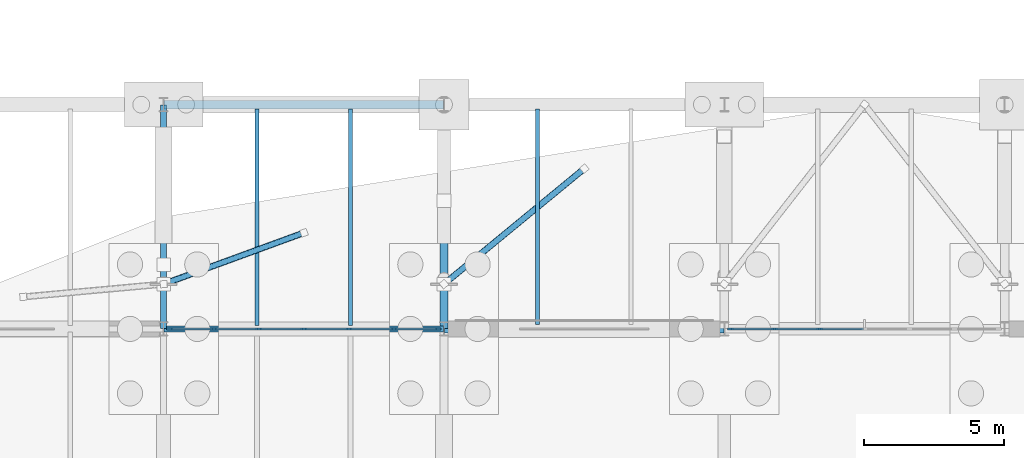
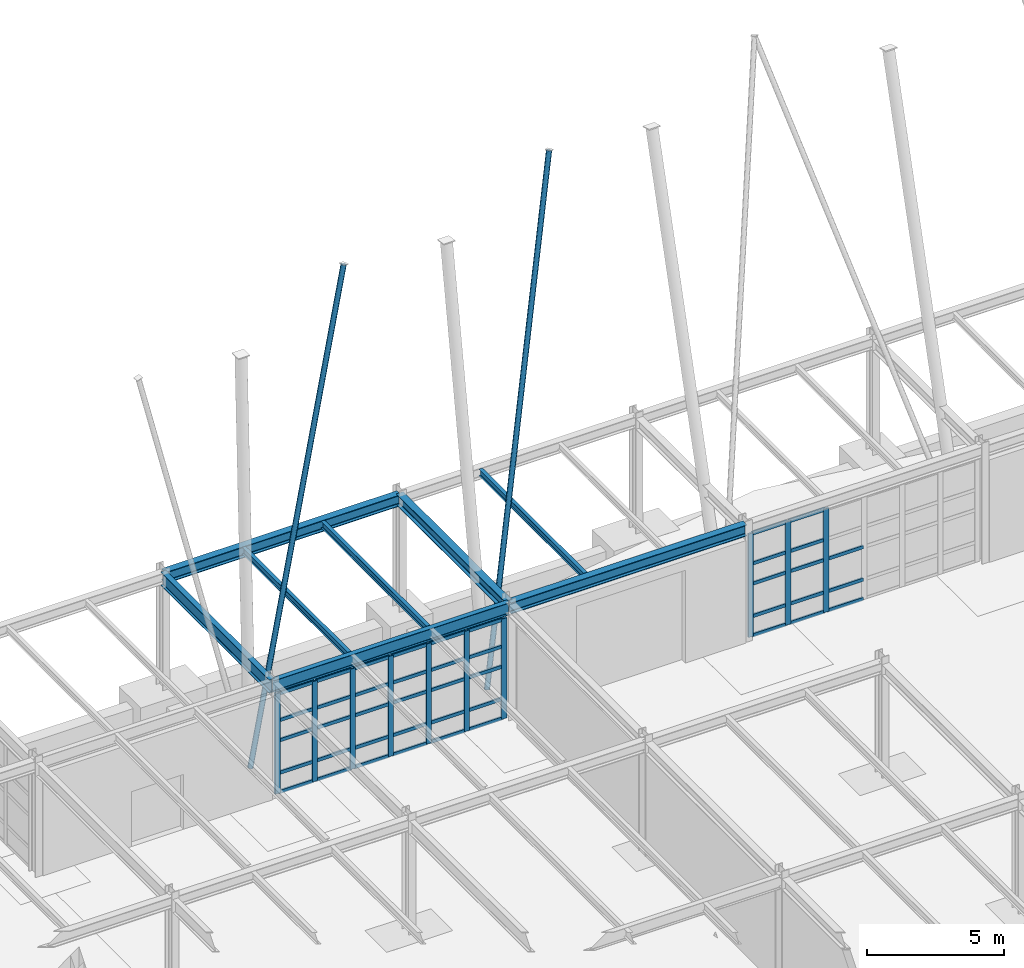
# One storey, part 59 of 145: 55 members, 8 beams, 2 elements without a shape of their own.
"""IFC4 building model written with IfcOpenShell, lengths in metres."""

from ifc_helpers import new_model, si_unit, direction, frame, origin, origin_2d, place, context, subcontext, project, spatial, rectangle, hollow_circle, i_section, extrude, material, layer, layer_set, material_profile, profile_set, type_object, element, aggregate, save


model = new_model("IFC4")

# Units and contexts
model_context = context("Model", 3, precision=1e-05, world=origin(), true_north=direction((0.0, 1.0)))
body_context = subcontext(model_context, "Body", "Model", "MODEL_VIEW")
ifc_project = project(units=[si_unit("LENGTHUNIT", "METRE"), si_unit("AREAUNIT", "SQUARE_METRE"), si_unit("VOLUMEUNIT", "CUBIC_METRE"), si_unit("PLANEANGLEUNIT", "RADIAN"), si_unit("MASSUNIT", "GRAM", prefix="KILO"), si_unit("THERMODYNAMICTEMPERATUREUNIT", "KELVIN"), si_unit("POWERUNIT", "WATT")], contexts=[model_context])

# Site, building, storey
site_placement = place(None, origin())
site = spatial("IfcSite", under=ifc_project, at=site_placement, CompositionType="ELEMENT")
building_placement = place(site_placement, origin())
building = spatial("IfcBuilding", under=site, at=building_placement, Name="Korenveer Ferry Terminal", CompositionType="ELEMENT")
storey_placement = place(building_placement, origin())
storey = spatial("IfcBuildingStorey", under=building, at=storey_placement, Name="L00", CompositionType="ELEMENT", Elevation=0.0)

# Curtain wall, members
ifc_material_1 = material(Name="Unitised bronze-and-glass curtain wall", Category="glass")
ifc_layer_1 = layer(ifc_material_1, 0.219970703125)
ifc_layer_set_1 = layer_set([ifc_layer_1], Name="Unitised bronze-and-glass curtain wall")
curtain_wall_type_1 = type_object("IfcCurtainWallType", Name="ENV-CW-13", PredefinedType="USERDEFINED", material=ifc_layer_set_1)
curtain_wall_1_placement = place(storey_placement, frame((63.179931640625, 100.0, 0.0)))
curtain_wall_1 = element("IfcCurtainWall", 1, at=curtain_wall_1_placement, inside=storey, type_object=curtain_wall_type_1, Name="Lancet curtain wall CWX-L00-X63-73-Y100-100", ObjectType="UNITISED CURTAIN WALL", PredefinedType="USERDEFINED")
ifc_material_2 = material(Name="Anodised bronze aluminium", Category="aluminium")
ifc_material_profile_1 = material_profile(ifc_material_2, rectangle(XDim=0.074951171875, YDim=0.219970703125, at=origin_2d()), Name="ALU 75x220")
ifc_profile_set_1 = profile_set([ifc_material_profile_1], Name="Anodised bronze aluminium")
member_type_1 = type_object("IfcMemberType", Name="ENV-CWM-75X220", PredefinedType="MULLION", material=ifc_profile_set_1)
member_1_placement = place(storey_placement, frame((63.217529296875, 100.0, 0.0), z_axis=(0.0, 0.0, 1.0), x_axis=(0.0, 1.0, 0.0)))
member_1 = element("IfcMember", 2, at=member_1_placement, type_object=member_type_1, Name="CW-13 mullion 1", PredefinedType="MULLION", context=body_context, shape_type="SweptSolid", body=[
    extrude(rectangle(XDim=0.074951171875, YDim=0.219970703125, at=origin_2d()), origin(), (0.0, 0.0, 1.0), 4.47998046875),
])
member_2_placement = place(storey_placement, frame((64.78662109375, 100.0, 0.0), z_axis=(0.0, 0.0, 1.0), x_axis=(0.0, 1.0, 0.0)))
member_2 = element("IfcMember", 3, at=member_2_placement, type_object=member_type_1, Name="CW-13 mullion 2", PredefinedType="MULLION", context=body_context, shape_type="SweptSolid", body=[
    extrude(rectangle(XDim=0.074951171875, YDim=0.219970703125, at=origin_2d()), origin(), (0.0, 0.0, 1.0), 4.47998046875),
])
member_3_placement = place(storey_placement, frame((66.393310546875, 100.0, 0.0), z_axis=(0.0, 0.0, 1.0), x_axis=(0.0, 1.0, 0.0)))
member_3 = element("IfcMember", 4, at=member_3_placement, type_object=member_type_1, Name="CW-13 mullion 3", PredefinedType="MULLION", context=body_context, shape_type="SweptSolid", body=[
    extrude(rectangle(XDim=0.074951171875, YDim=0.219970703125, at=origin_2d()), origin(), (0.0, 0.0, 1.0), 4.47998046875),
])
member_4_placement = place(storey_placement, frame((68.0, 100.0, 0.0), z_axis=(0.0, 0.0, 1.0), x_axis=(0.0, 1.0, 0.0)))
member_4 = element("IfcMember", 5, at=member_4_placement, type_object=member_type_1, Name="CW-13 mullion 4", PredefinedType="MULLION", context=body_context, shape_type="SweptSolid", body=[
    extrude(rectangle(XDim=0.074951171875, YDim=0.219970703125, at=origin_2d()), origin(), (0.0, 0.0, 1.0), 4.47998046875),
])
member_5_placement = place(storey_placement, frame((69.606689453125, 100.0, 0.0), z_axis=(0.0, 0.0, 1.0), x_axis=(0.0, 1.0, 0.0)))
member_5 = element("IfcMember", 6, at=member_5_placement, type_object=member_type_1, Name="CW-13 mullion 5", PredefinedType="MULLION", context=body_context, shape_type="SweptSolid", body=[
    extrude(rectangle(XDim=0.074951171875, YDim=0.219970703125, at=origin_2d()), origin(), (0.0, 0.0, 1.0), 4.47998046875),
])
member_6_placement = place(storey_placement, frame((71.21337890625, 100.0, 0.0), z_axis=(0.0, 0.0, 1.0), x_axis=(0.0, 1.0, 0.0)))
member_6 = element("IfcMember", 7, at=member_6_placement, type_object=member_type_1, Name="CW-13 mullion 6", PredefinedType="MULLION", context=body_context, shape_type="SweptSolid", body=[
    extrude(rectangle(XDim=0.074951171875, YDim=0.219970703125, at=origin_2d()), origin(), (0.0, 0.0, 1.0), 4.47998046875),
])
member_7_placement = place(storey_placement, frame((72.782470703125, 100.0, 0.0), z_axis=(0.0, 0.0, 1.0), x_axis=(0.0, 1.0, 0.0)))
member_7 = element("IfcMember", 8, at=member_7_placement, type_object=member_type_1, Name="CW-13 mullion 7", PredefinedType="MULLION", context=body_context, shape_type="SweptSolid", body=[
    extrude(rectangle(XDim=0.074951171875, YDim=0.219970703125, at=origin_2d()), origin(), (0.0, 0.0, 1.0), 4.47998046875),
])

ifc_layer_2 = layer(ifc_material_1, 0.219970703125)
ifc_layer_set_2 = layer_set([ifc_layer_2], Name="Unitised bronze-and-glass curtain wall")
curtain_wall_type_2 = type_object("IfcCurtainWallType", Name="ENV-CW-14", PredefinedType="USERDEFINED", material=ifc_layer_set_2)
curtain_wall_2_placement = place(storey_placement, frame((83.179931640625, 100.0, 0.0)))
curtain_wall_2 = element("IfcCurtainWall", 9, at=curtain_wall_2_placement, inside=storey, type_object=curtain_wall_type_2, Name="Lancet curtain wall CWX-L00-X83-93-Y100-100", ObjectType="UNITISED CURTAIN WALL", PredefinedType="USERDEFINED")
member_8_placement = place(storey_placement, frame((83.217529296875, 100.0, 0.0), z_axis=(0.0, 0.0, 1.0), x_axis=(0.0, 1.0, 0.0)))
member_8 = element("IfcMember", 10, at=member_8_placement, type_object=member_type_1, Name="CW-14 mullion 1", PredefinedType="MULLION", context=body_context, shape_type="SweptSolid", body=[
    extrude(rectangle(XDim=0.074951171875, YDim=0.219970703125, at=origin_2d()), origin(), (0.0, 0.0, 1.0), 4.6298828125),
])
member_9_placement = place(storey_placement, frame((84.78662109375, 100.0, 0.0), z_axis=(0.0, 0.0, 1.0), x_axis=(0.0, 1.0, 0.0)))
member_9 = element("IfcMember", 11, at=member_9_placement, type_object=member_type_1, Name="CW-14 mullion 2", PredefinedType="MULLION", context=body_context, shape_type="SweptSolid", body=[
    extrude(rectangle(XDim=0.074951171875, YDim=0.219970703125, at=origin_2d()), origin(), (0.0, 0.0, 1.0), 4.6298828125),
])
member_10_placement = place(storey_placement, frame((86.393310546875, 100.0, 0.0), z_axis=(0.0, 0.0, 1.0), x_axis=(0.0, 1.0, 0.0)))
member_10 = element("IfcMember", 12, at=member_10_placement, type_object=member_type_1, Name="CW-14 mullion 3", PredefinedType="MULLION", context=body_context, shape_type="SweptSolid", body=[
    extrude(rectangle(XDim=0.074951171875, YDim=0.219970703125, at=origin_2d()), origin(), (0.0, 0.0, 1.0), 4.6298828125),
])

# Member
ifc_material_profile_2 = material_profile(ifc_material_2, rectangle(XDim=0.074951171875, YDim=0.14990234375, at=origin_2d()), Name="ALU 75x150")
ifc_profile_set_2 = profile_set([ifc_material_profile_2], Name="Anodised bronze aluminium")
member_type_2 = type_object("IfcMemberType", Name="ENV-CWT-75X150", PredefinedType="USERDEFINED", material=ifc_profile_set_2)
member_11_placement = place(storey_placement, frame((63.2548828125, 100.0, 0.03759765625), z_axis=(1.0, 0.0, 0.0), x_axis=(0.0, 1.0, 0.0)))
member_11 = element("IfcMember", 13, at=member_11_placement, type_object=member_type_2, Name="CW-13 transom 1.1", ObjectType="TRANSOM", PredefinedType="USERDEFINED", context=body_context, shape_type="SweptSolid", body=[
    extrude(rectangle(XDim=0.074951171875, YDim=0.14990234375, at=origin_2d()), origin(), (0.0, 0.0, 1.0), 1.494384765625),
])

member_12_placement = place(storey_placement, frame((63.2548828125, 100.0, 0.89990234375), z_axis=(1.0, 0.0, 0.0), x_axis=(0.0, 1.0, 0.0)))
member_12 = element("IfcMember", 14, at=member_12_placement, type_object=member_type_2, Name="CW-13 transom 1.2", ObjectType="TRANSOM", PredefinedType="USERDEFINED", context=body_context, shape_type="SweptSolid", body=[
    extrude(rectangle(XDim=0.074951171875, YDim=0.14990234375, at=origin_2d()), origin(), (0.0, 0.0, 1.0), 1.494384765625),
])

member_13_placement = place(storey_placement, frame((63.2548828125, 100.0, 2.35009765625), z_axis=(1.0, 0.0, 0.0), x_axis=(0.0, 1.0, 0.0)))
member_13 = element("IfcMember", 15, at=member_13_placement, type_object=member_type_2, Name="CW-13 transom 1.3", ObjectType="TRANSOM", PredefinedType="USERDEFINED", context=body_context, shape_type="SweptSolid", body=[
    extrude(rectangle(XDim=0.074951171875, YDim=0.14990234375, at=origin_2d()), origin(), (0.0, 0.0, 1.0), 1.494384765625),
])

member_14_placement = place(storey_placement, frame((63.2548828125, 100.0, 3.25), z_axis=(1.0, 0.0, 0.0), x_axis=(0.0, 1.0, 0.0)))
member_14 = element("IfcMember", 16, at=member_14_placement, type_object=member_type_2, Name="CW-13 transom 1.4", ObjectType="TRANSOM", PredefinedType="USERDEFINED", context=body_context, shape_type="SweptSolid", body=[
    extrude(rectangle(XDim=0.074951171875, YDim=0.14990234375, at=origin_2d()), origin(), (0.0, 0.0, 1.0), 1.494384765625),
])

member_15_placement = place(storey_placement, frame((63.2548828125, 100.0, 4.4423828125), z_axis=(1.0, 0.0, 0.0), x_axis=(0.0, 1.0, 0.0)))
member_15 = element("IfcMember", 17, at=member_15_placement, type_object=member_type_2, Name="CW-13 transom 1.5", ObjectType="TRANSOM", PredefinedType="USERDEFINED", context=body_context, shape_type="SweptSolid", body=[
    extrude(rectangle(XDim=0.074951171875, YDim=0.14990234375, at=origin_2d()), origin(), (0.0, 0.0, 1.0), 1.494384765625),
])

member_16_placement = place(storey_placement, frame((64.82421875, 100.0, 0.03759765625), z_axis=(1.0, 0.0, 0.0), x_axis=(0.0, 1.0, 0.0)))
member_16 = element("IfcMember", 18, at=member_16_placement, type_object=member_type_2, Name="CW-13 transom 2.1", ObjectType="TRANSOM", PredefinedType="USERDEFINED", context=body_context, shape_type="SweptSolid", body=[
    extrude(rectangle(XDim=0.074951171875, YDim=0.14990234375, at=origin_2d()), origin(), (0.0, 0.0, 1.0), 1.531494140625),
])

member_17_placement = place(storey_placement, frame((64.82421875, 100.0, 0.89990234375), z_axis=(1.0, 0.0, 0.0), x_axis=(0.0, 1.0, 0.0)))
member_17 = element("IfcMember", 19, at=member_17_placement, type_object=member_type_2, Name="CW-13 transom 2.2", ObjectType="TRANSOM", PredefinedType="USERDEFINED", context=body_context, shape_type="SweptSolid", body=[
    extrude(rectangle(XDim=0.074951171875, YDim=0.14990234375, at=origin_2d()), origin(), (0.0, 0.0, 1.0), 1.531494140625),
])

member_18_placement = place(storey_placement, frame((64.82421875, 100.0, 2.35009765625), z_axis=(1.0, 0.0, 0.0), x_axis=(0.0, 1.0, 0.0)))
member_18 = element("IfcMember", 20, at=member_18_placement, type_object=member_type_2, Name="CW-13 transom 2.3", ObjectType="TRANSOM", PredefinedType="USERDEFINED", context=body_context, shape_type="SweptSolid", body=[
    extrude(rectangle(XDim=0.074951171875, YDim=0.14990234375, at=origin_2d()), origin(), (0.0, 0.0, 1.0), 1.531494140625),
])

member_19_placement = place(storey_placement, frame((64.82421875, 100.0, 3.25), z_axis=(1.0, 0.0, 0.0), x_axis=(0.0, 1.0, 0.0)))
member_19 = element("IfcMember", 21, at=member_19_placement, type_object=member_type_2, Name="CW-13 transom 2.4", ObjectType="TRANSOM", PredefinedType="USERDEFINED", context=body_context, shape_type="SweptSolid", body=[
    extrude(rectangle(XDim=0.074951171875, YDim=0.14990234375, at=origin_2d()), origin(), (0.0, 0.0, 1.0), 1.531494140625),
])

member_20_placement = place(storey_placement, frame((64.82421875, 100.0, 4.4423828125), z_axis=(1.0, 0.0, 0.0), x_axis=(0.0, 1.0, 0.0)))
member_20 = element("IfcMember", 22, at=member_20_placement, type_object=member_type_2, Name="CW-13 transom 2.5", ObjectType="TRANSOM", PredefinedType="USERDEFINED", context=body_context, shape_type="SweptSolid", body=[
    extrude(rectangle(XDim=0.074951171875, YDim=0.14990234375, at=origin_2d()), origin(), (0.0, 0.0, 1.0), 1.531494140625),
])

member_21_placement = place(storey_placement, frame((66.430908203125, 100.0, 0.03759765625), z_axis=(1.0, 0.0, 0.0), x_axis=(0.0, 1.0, 0.0)))
member_21 = element("IfcMember", 23, at=member_21_placement, type_object=member_type_2, Name="CW-13 transom 3.1", ObjectType="TRANSOM", PredefinedType="USERDEFINED", context=body_context, shape_type="SweptSolid", body=[
    extrude(rectangle(XDim=0.074951171875, YDim=0.14990234375, at=origin_2d()), origin(), (0.0, 0.0, 1.0), 1.531494140625),
])

member_22_placement = place(storey_placement, frame((66.430908203125, 100.0, 0.89990234375), z_axis=(1.0, 0.0, 0.0), x_axis=(0.0, 1.0, 0.0)))
member_22 = element("IfcMember", 24, at=member_22_placement, type_object=member_type_2, Name="CW-13 transom 3.2", ObjectType="TRANSOM", PredefinedType="USERDEFINED", context=body_context, shape_type="SweptSolid", body=[
    extrude(rectangle(XDim=0.074951171875, YDim=0.14990234375, at=origin_2d()), origin(), (0.0, 0.0, 1.0), 1.531494140625),
])

member_23_placement = place(storey_placement, frame((66.430908203125, 100.0, 2.35009765625), z_axis=(1.0, 0.0, 0.0), x_axis=(0.0, 1.0, 0.0)))
member_23 = element("IfcMember", 25, at=member_23_placement, type_object=member_type_2, Name="CW-13 transom 3.3", ObjectType="TRANSOM", PredefinedType="USERDEFINED", context=body_context, shape_type="SweptSolid", body=[
    extrude(rectangle(XDim=0.074951171875, YDim=0.14990234375, at=origin_2d()), origin(), (0.0, 0.0, 1.0), 1.531494140625),
])

member_24_placement = place(storey_placement, frame((66.430908203125, 100.0, 3.25), z_axis=(1.0, 0.0, 0.0), x_axis=(0.0, 1.0, 0.0)))
member_24 = element("IfcMember", 26, at=member_24_placement, type_object=member_type_2, Name="CW-13 transom 3.4", ObjectType="TRANSOM", PredefinedType="USERDEFINED", context=body_context, shape_type="SweptSolid", body=[
    extrude(rectangle(XDim=0.074951171875, YDim=0.14990234375, at=origin_2d()), origin(), (0.0, 0.0, 1.0), 1.531494140625),
])

member_25_placement = place(storey_placement, frame((66.430908203125, 100.0, 4.4423828125), z_axis=(1.0, 0.0, 0.0), x_axis=(0.0, 1.0, 0.0)))
member_25 = element("IfcMember", 27, at=member_25_placement, type_object=member_type_2, Name="CW-13 transom 3.5", ObjectType="TRANSOM", PredefinedType="USERDEFINED", context=body_context, shape_type="SweptSolid", body=[
    extrude(rectangle(XDim=0.074951171875, YDim=0.14990234375, at=origin_2d()), origin(), (0.0, 0.0, 1.0), 1.531494140625),
])

member_26_placement = place(storey_placement, frame((68.03759765625, 100.0, 0.03759765625), z_axis=(1.0, 0.0, 0.0), x_axis=(0.0, 1.0, 0.0)))
member_26 = element("IfcMember", 28, at=member_26_placement, type_object=member_type_2, Name="CW-13 transom 4.1", ObjectType="TRANSOM", PredefinedType="USERDEFINED", context=body_context, shape_type="SweptSolid", body=[
    extrude(rectangle(XDim=0.074951171875, YDim=0.14990234375, at=origin_2d()), origin(), (0.0, 0.0, 1.0), 1.531494140625),
])

member_27_placement = place(storey_placement, frame((68.03759765625, 100.0, 0.89990234375), z_axis=(1.0, 0.0, 0.0), x_axis=(0.0, 1.0, 0.0)))
member_27 = element("IfcMember", 29, at=member_27_placement, type_object=member_type_2, Name="CW-13 transom 4.2", ObjectType="TRANSOM", PredefinedType="USERDEFINED", context=body_context, shape_type="SweptSolid", body=[
    extrude(rectangle(XDim=0.074951171875, YDim=0.14990234375, at=origin_2d()), origin(), (0.0, 0.0, 1.0), 1.531494140625),
])

member_28_placement = place(storey_placement, frame((68.03759765625, 100.0, 2.35009765625), z_axis=(1.0, 0.0, 0.0), x_axis=(0.0, 1.0, 0.0)))
member_28 = element("IfcMember", 30, at=member_28_placement, type_object=member_type_2, Name="CW-13 transom 4.3", ObjectType="TRANSOM", PredefinedType="USERDEFINED", context=body_context, shape_type="SweptSolid", body=[
    extrude(rectangle(XDim=0.074951171875, YDim=0.14990234375, at=origin_2d()), origin(), (0.0, 0.0, 1.0), 1.531494140625),
])

member_29_placement = place(storey_placement, frame((68.03759765625, 100.0, 3.25), z_axis=(1.0, 0.0, 0.0), x_axis=(0.0, 1.0, 0.0)))
member_29 = element("IfcMember", 31, at=member_29_placement, type_object=member_type_2, Name="CW-13 transom 4.4", ObjectType="TRANSOM", PredefinedType="USERDEFINED", context=body_context, shape_type="SweptSolid", body=[
    extrude(rectangle(XDim=0.074951171875, YDim=0.14990234375, at=origin_2d()), origin(), (0.0, 0.0, 1.0), 1.531494140625),
])

member_30_placement = place(storey_placement, frame((68.03759765625, 100.0, 4.4423828125), z_axis=(1.0, 0.0, 0.0), x_axis=(0.0, 1.0, 0.0)))
member_30 = element("IfcMember", 32, at=member_30_placement, type_object=member_type_2, Name="CW-13 transom 4.5", ObjectType="TRANSOM", PredefinedType="USERDEFINED", context=body_context, shape_type="SweptSolid", body=[
    extrude(rectangle(XDim=0.074951171875, YDim=0.14990234375, at=origin_2d()), origin(), (0.0, 0.0, 1.0), 1.531494140625),
])

member_31_placement = place(storey_placement, frame((69.644287109375, 100.0, 0.03759765625), z_axis=(1.0, 0.0, 0.0), x_axis=(0.0, 1.0, 0.0)))
member_31 = element("IfcMember", 33, at=member_31_placement, type_object=member_type_2, Name="CW-13 transom 5.1", ObjectType="TRANSOM", PredefinedType="USERDEFINED", context=body_context, shape_type="SweptSolid", body=[
    extrude(rectangle(XDim=0.074951171875, YDim=0.14990234375, at=origin_2d()), origin(), (0.0, 0.0, 1.0), 1.531494140625),
])

member_32_placement = place(storey_placement, frame((69.644287109375, 100.0, 0.89990234375), z_axis=(1.0, 0.0, 0.0), x_axis=(0.0, 1.0, 0.0)))
member_32 = element("IfcMember", 34, at=member_32_placement, type_object=member_type_2, Name="CW-13 transom 5.2", ObjectType="TRANSOM", PredefinedType="USERDEFINED", context=body_context, shape_type="SweptSolid", body=[
    extrude(rectangle(XDim=0.074951171875, YDim=0.14990234375, at=origin_2d()), origin(), (0.0, 0.0, 1.0), 1.531494140625),
])

member_33_placement = place(storey_placement, frame((69.644287109375, 100.0, 2.35009765625), z_axis=(1.0, 0.0, 0.0), x_axis=(0.0, 1.0, 0.0)))
member_33 = element("IfcMember", 35, at=member_33_placement, type_object=member_type_2, Name="CW-13 transom 5.3", ObjectType="TRANSOM", PredefinedType="USERDEFINED", context=body_context, shape_type="SweptSolid", body=[
    extrude(rectangle(XDim=0.074951171875, YDim=0.14990234375, at=origin_2d()), origin(), (0.0, 0.0, 1.0), 1.531494140625),
])

member_34_placement = place(storey_placement, frame((69.644287109375, 100.0, 3.25), z_axis=(1.0, 0.0, 0.0), x_axis=(0.0, 1.0, 0.0)))
member_34 = element("IfcMember", 36, at=member_34_placement, type_object=member_type_2, Name="CW-13 transom 5.4", ObjectType="TRANSOM", PredefinedType="USERDEFINED", context=body_context, shape_type="SweptSolid", body=[
    extrude(rectangle(XDim=0.074951171875, YDim=0.14990234375, at=origin_2d()), origin(), (0.0, 0.0, 1.0), 1.531494140625),
])

member_35_placement = place(storey_placement, frame((69.644287109375, 100.0, 4.4423828125), z_axis=(1.0, 0.0, 0.0), x_axis=(0.0, 1.0, 0.0)))
member_35 = element("IfcMember", 37, at=member_35_placement, type_object=member_type_2, Name="CW-13 transom 5.5", ObjectType="TRANSOM", PredefinedType="USERDEFINED", context=body_context, shape_type="SweptSolid", body=[
    extrude(rectangle(XDim=0.074951171875, YDim=0.14990234375, at=origin_2d()), origin(), (0.0, 0.0, 1.0), 1.531494140625),
])

member_36_placement = place(storey_placement, frame((71.250732421875, 100.0, 0.03759765625), z_axis=(1.0, 0.0, 0.0), x_axis=(0.0, 1.0, 0.0)))
member_36 = element("IfcMember", 38, at=member_36_placement, type_object=member_type_2, Name="CW-13 transom 6.1", ObjectType="TRANSOM", PredefinedType="USERDEFINED", context=body_context, shape_type="SweptSolid", body=[
    extrude(rectangle(XDim=0.074951171875, YDim=0.14990234375, at=origin_2d()), origin(), (0.0, 0.0, 1.0), 1.494384765625),
])

member_37_placement = place(storey_placement, frame((71.250732421875, 100.0, 0.89990234375), z_axis=(1.0, 0.0, 0.0), x_axis=(0.0, 1.0, 0.0)))
member_37 = element("IfcMember", 39, at=member_37_placement, type_object=member_type_2, Name="CW-13 transom 6.2", ObjectType="TRANSOM", PredefinedType="USERDEFINED", context=body_context, shape_type="SweptSolid", body=[
    extrude(rectangle(XDim=0.074951171875, YDim=0.14990234375, at=origin_2d()), origin(), (0.0, 0.0, 1.0), 1.494384765625),
])

member_38_placement = place(storey_placement, frame((71.250732421875, 100.0, 2.35009765625), z_axis=(1.0, 0.0, 0.0), x_axis=(0.0, 1.0, 0.0)))
member_38 = element("IfcMember", 40, at=member_38_placement, type_object=member_type_2, Name="CW-13 transom 6.3", ObjectType="TRANSOM", PredefinedType="USERDEFINED", context=body_context, shape_type="SweptSolid", body=[
    extrude(rectangle(XDim=0.074951171875, YDim=0.14990234375, at=origin_2d()), origin(), (0.0, 0.0, 1.0), 1.494384765625),
])

member_39_placement = place(storey_placement, frame((71.250732421875, 100.0, 3.25), z_axis=(1.0, 0.0, 0.0), x_axis=(0.0, 1.0, 0.0)))
member_39 = element("IfcMember", 41, at=member_39_placement, type_object=member_type_2, Name="CW-13 transom 6.4", ObjectType="TRANSOM", PredefinedType="USERDEFINED", context=body_context, shape_type="SweptSolid", body=[
    extrude(rectangle(XDim=0.074951171875, YDim=0.14990234375, at=origin_2d()), origin(), (0.0, 0.0, 1.0), 1.494384765625),
])

member_40_placement = place(storey_placement, frame((71.250732421875, 100.0, 4.4423828125), z_axis=(1.0, 0.0, 0.0), x_axis=(0.0, 1.0, 0.0)))
member_40 = element("IfcMember", 42, at=member_40_placement, type_object=member_type_2, Name="CW-13 transom 6.5", ObjectType="TRANSOM", PredefinedType="USERDEFINED", context=body_context, shape_type="SweptSolid", body=[
    extrude(rectangle(XDim=0.074951171875, YDim=0.14990234375, at=origin_2d()), origin(), (0.0, 0.0, 1.0), 1.494384765625),
])

aggregate(curtain_wall_1, [member_1, member_2, member_3, member_4, member_5, member_6, member_7, member_11, member_12, member_13, member_14, member_15, member_16, member_17, member_18, member_19, member_20, member_21, member_22, member_23, member_24, member_25, member_26, member_27, member_28, member_29, member_30, member_31, member_32, member_33, member_34, member_35, member_36, member_37, member_38, member_39, member_40])

member_41_placement = place(storey_placement, frame((83.2548828125, 100.0, 0.03759765625), z_axis=(1.0, 0.0, 0.0), x_axis=(0.0, 1.0, 0.0)))
member_41 = element("IfcMember", 43, at=member_41_placement, type_object=member_type_2, Name="CW-14 transom 1.1", ObjectType="TRANSOM", PredefinedType="USERDEFINED", context=body_context, shape_type="SweptSolid", body=[
    extrude(rectangle(XDim=0.074951171875, YDim=0.14990234375, at=origin_2d()), origin(), (0.0, 0.0, 1.0), 1.494384765625),
])

member_42_placement = place(storey_placement, frame((83.2548828125, 100.0, 0.89990234375), z_axis=(1.0, 0.0, 0.0), x_axis=(0.0, 1.0, 0.0)))
member_42 = element("IfcMember", 44, at=member_42_placement, type_object=member_type_2, Name="CW-14 transom 1.2", ObjectType="TRANSOM", PredefinedType="USERDEFINED", context=body_context, shape_type="SweptSolid", body=[
    extrude(rectangle(XDim=0.074951171875, YDim=0.14990234375, at=origin_2d()), origin(), (0.0, 0.0, 1.0), 1.494384765625),
])

member_43_placement = place(storey_placement, frame((83.2548828125, 100.0, 2.35009765625), z_axis=(1.0, 0.0, 0.0), x_axis=(0.0, 1.0, 0.0)))
member_43 = element("IfcMember", 45, at=member_43_placement, type_object=member_type_2, Name="CW-14 transom 1.3", ObjectType="TRANSOM", PredefinedType="USERDEFINED", context=body_context, shape_type="SweptSolid", body=[
    extrude(rectangle(XDim=0.074951171875, YDim=0.14990234375, at=origin_2d()), origin(), (0.0, 0.0, 1.0), 1.494384765625),
])

member_44_placement = place(storey_placement, frame((83.2548828125, 100.0, 3.25), z_axis=(1.0, 0.0, 0.0), x_axis=(0.0, 1.0, 0.0)))
member_44 = element("IfcMember", 46, at=member_44_placement, type_object=member_type_2, Name="CW-14 transom 1.4", ObjectType="TRANSOM", PredefinedType="USERDEFINED", context=body_context, shape_type="SweptSolid", body=[
    extrude(rectangle(XDim=0.074951171875, YDim=0.14990234375, at=origin_2d()), origin(), (0.0, 0.0, 1.0), 1.494384765625),
])

member_45_placement = place(storey_placement, frame((83.2548828125, 100.0, 4.592529296875), z_axis=(1.0, 0.0, 0.0), x_axis=(0.0, 1.0, 0.0)))
member_45 = element("IfcMember", 47, at=member_45_placement, type_object=member_type_2, Name="CW-14 transom 1.5", ObjectType="TRANSOM", PredefinedType="USERDEFINED", context=body_context, shape_type="SweptSolid", body=[
    extrude(rectangle(XDim=0.074951171875, YDim=0.14990234375, at=origin_2d()), origin(), (0.0, 0.0, 1.0), 1.494384765625),
])

member_46_placement = place(storey_placement, frame((84.82421875, 100.0, 0.03759765625), z_axis=(1.0, 0.0, 0.0), x_axis=(0.0, 1.0, 0.0)))
member_46 = element("IfcMember", 48, at=member_46_placement, type_object=member_type_2, Name="CW-14 transom 2.1", ObjectType="TRANSOM", PredefinedType="USERDEFINED", context=body_context, shape_type="SweptSolid", body=[
    extrude(rectangle(XDim=0.074951171875, YDim=0.14990234375, at=origin_2d()), origin(), (0.0, 0.0, 1.0), 1.531494140625),
])

member_47_placement = place(storey_placement, frame((84.82421875, 100.0, 0.89990234375), z_axis=(1.0, 0.0, 0.0), x_axis=(0.0, 1.0, 0.0)))
member_47 = element("IfcMember", 49, at=member_47_placement, type_object=member_type_2, Name="CW-14 transom 2.2", ObjectType="TRANSOM", PredefinedType="USERDEFINED", context=body_context, shape_type="SweptSolid", body=[
    extrude(rectangle(XDim=0.074951171875, YDim=0.14990234375, at=origin_2d()), origin(), (0.0, 0.0, 1.0), 1.531494140625),
])

member_48_placement = place(storey_placement, frame((84.82421875, 100.0, 2.35009765625), z_axis=(1.0, 0.0, 0.0), x_axis=(0.0, 1.0, 0.0)))
member_48 = element("IfcMember", 50, at=member_48_placement, type_object=member_type_2, Name="CW-14 transom 2.3", ObjectType="TRANSOM", PredefinedType="USERDEFINED", context=body_context, shape_type="SweptSolid", body=[
    extrude(rectangle(XDim=0.074951171875, YDim=0.14990234375, at=origin_2d()), origin(), (0.0, 0.0, 1.0), 1.531494140625),
])

member_49_placement = place(storey_placement, frame((84.82421875, 100.0, 3.25), z_axis=(1.0, 0.0, 0.0), x_axis=(0.0, 1.0, 0.0)))
member_49 = element("IfcMember", 51, at=member_49_placement, type_object=member_type_2, Name="CW-14 transom 2.4", ObjectType="TRANSOM", PredefinedType="USERDEFINED", context=body_context, shape_type="SweptSolid", body=[
    extrude(rectangle(XDim=0.074951171875, YDim=0.14990234375, at=origin_2d()), origin(), (0.0, 0.0, 1.0), 1.531494140625),
])

member_50_placement = place(storey_placement, frame((84.82421875, 100.0, 4.592529296875), z_axis=(1.0, 0.0, 0.0), x_axis=(0.0, 1.0, 0.0)))
member_50 = element("IfcMember", 52, at=member_50_placement, type_object=member_type_2, Name="CW-14 transom 2.5", ObjectType="TRANSOM", PredefinedType="USERDEFINED", context=body_context, shape_type="SweptSolid", body=[
    extrude(rectangle(XDim=0.074951171875, YDim=0.14990234375, at=origin_2d()), origin(), (0.0, 0.0, 1.0), 1.531494140625),
])

member_51_placement = place(storey_placement, frame((86.430908203125, 100.0, 0.03759765625), z_axis=(1.0, 0.0, 0.0), x_axis=(0.0, 1.0, 0.0)))
member_51 = element("IfcMember", 53, at=member_51_placement, type_object=member_type_2, Name="CW-14 transom 3.1", ObjectType="TRANSOM", PredefinedType="USERDEFINED", context=body_context, shape_type="SweptSolid", body=[
    extrude(rectangle(XDim=0.074951171875, YDim=0.14990234375, at=origin_2d()), origin(), (0.0, 0.0, 1.0), 1.531494140625),
])

member_52_placement = place(storey_placement, frame((86.430908203125, 100.0, 0.89990234375), z_axis=(1.0, 0.0, 0.0), x_axis=(0.0, 1.0, 0.0)))
member_52 = element("IfcMember", 54, at=member_52_placement, type_object=member_type_2, Name="CW-14 transom 3.2", ObjectType="TRANSOM", PredefinedType="USERDEFINED", context=body_context, shape_type="SweptSolid", body=[
    extrude(rectangle(XDim=0.074951171875, YDim=0.14990234375, at=origin_2d()), origin(), (0.0, 0.0, 1.0), 1.531494140625),
])

member_53_placement = place(storey_placement, frame((86.430908203125, 100.0, 2.35009765625), z_axis=(1.0, 0.0, 0.0), x_axis=(0.0, 1.0, 0.0)))
member_53 = element("IfcMember", 55, at=member_53_placement, type_object=member_type_2, Name="CW-14 transom 3.3", ObjectType="TRANSOM", PredefinedType="USERDEFINED", context=body_context, shape_type="SweptSolid", body=[
    extrude(rectangle(XDim=0.074951171875, YDim=0.14990234375, at=origin_2d()), origin(), (0.0, 0.0, 1.0), 1.531494140625),
])

aggregate(curtain_wall_2, [member_8, member_9, member_10, member_41, member_42, member_43, member_44, member_45, member_46, member_47, member_48, member_49, member_50, member_51, member_52, member_53])

# Beams
ifc_material_3 = material(Name="Steel S355", Category="steel")
ifc_material_profile_3 = material_profile(ifc_material_3, i_section(OverallWidth=0.300048828125, OverallDepth=0.5, WebThickness=0.014404296875, FlangeThickness=0.028076171875, FilletRadius=0.027099609375, at=origin_2d()), Name="HEB 500")
ifc_profile_set_3 = profile_set([ifc_material_profile_3], Name="Steel S355")
beam_type_1 = type_object("IfcBeamType", Name="STR-BM-HEB500", PredefinedType="BEAM", material=ifc_profile_set_3)
for number, where, z_axis, x_axis, name in (
    (56, (73.02001953125, 100.0, 4.909912109375), (1.0, 0.0, 0.0), (0.0, 1.0, 0.0), "Primary X girder BMX-L01-X73-83-Y100"),
    (57, (63.02001953125, 108.0, 4.909912109375), (1.0, 0.0, 0.0), (0.0, 1.0, 0.0), "Primary X girder BMX-L01-X63-73-Y108"),
):
    element("IfcBeam", number, at=place(storey_placement, frame(where, z_axis=z_axis, x_axis=x_axis)), inside=storey, type_object=beam_type_1, Name=name, PredefinedType="BEAM", context=body_context, shape_type="SweptSolid", body=[
        extrude(i_section(OverallWidth=0.300048828125, OverallDepth=0.5, WebThickness=0.014404296875, FlangeThickness=0.028076171875, FilletRadius=0.027099609375, at=origin_2d()), origin(), (0.0, 0.0, 1.0), 9.9599609375),
    ])
beam_1_placement = place(storey_placement, frame((73.0, 100.02001953125, 4.909912109375), z_axis=(0.0, 1.0, 0.0), x_axis=(-1.0, 0.0, 0.0)))
element("IfcBeam", 58, at=beam_1_placement, inside=storey, type_object=beam_type_1, Name="Primary Y girder BMY-L01-X73-Y100-108", PredefinedType="BEAM", context=body_context, shape_type="SweptSolid", body=[
    extrude(i_section(OverallWidth=0.300048828125, OverallDepth=0.5, WebThickness=0.014404296875, FlangeThickness=0.028076171875, FilletRadius=0.027099609375, at=origin_2d()), origin(), (0.0, 0.0, 1.0), 7.9599609375),
])
ifc_material_profile_4 = material_profile(ifc_material_3, i_section(OverallWidth=0.2099609375, OverallDepth=0.550048828125, WebThickness=0.010986328125, FlangeThickness=0.01708984375, FilletRadius=0.02392578125, at=origin_2d()), Name="IPE 550")
ifc_profile_set_4 = profile_set([ifc_material_profile_4], Name="Steel S355")
beam_type_2 = type_object("IfcBeamType", Name="STR-BM-IPE550", PredefinedType="BEAM", material=ifc_profile_set_4)
beam_2_placement = place(storey_placement, frame((63.02001953125, 100.0, 4.885009765625), z_axis=(1.0, 0.0, 0.0), x_axis=(0.0, 1.0, 0.0)))
element("IfcBeam", 59, at=beam_2_placement, inside=storey, type_object=beam_type_2, Name="Primary X girder BMX-L01-X63-73-Y100", PredefinedType="BEAM", context=body_context, shape_type="SweptSolid", body=[
    extrude(i_section(OverallWidth=0.2099609375, OverallDepth=0.550048828125, WebThickness=0.010986328125, FlangeThickness=0.01708984375, FilletRadius=0.02392578125, at=origin_2d()), origin(), (0.0, 0.0, 1.0), 9.9599609375),
])
ifc_material_profile_5 = material_profile(ifc_material_3, i_section(OverallWidth=0.219970703125, OverallDepth=0.60009765625, WebThickness=0.011962890625, FlangeThickness=0.01904296875, FilletRadius=0.02392578125, at=origin_2d()), Name="IPE 600")
ifc_profile_set_5 = profile_set([ifc_material_profile_5], Name="Steel S355")
beam_type_3 = type_object("IfcBeamType", Name="STR-BM-IPE600", PredefinedType="BEAM", material=ifc_profile_set_5)
beam_3_placement = place(storey_placement, frame((63.0, 100.02001953125, 4.860107421875), z_axis=(0.0, 1.0, 0.0), x_axis=(-1.0, 0.0, 0.0)))
element("IfcBeam", 60, at=beam_3_placement, inside=storey, type_object=beam_type_3, Name="Primary Y girder BMY-L01-X63-Y100-108", PredefinedType="BEAM", context=body_context, shape_type="SweptSolid", body=[
    extrude(i_section(OverallWidth=0.219970703125, OverallDepth=0.60009765625, WebThickness=0.011962890625, FlangeThickness=0.01904296875, FilletRadius=0.02392578125, at=origin_2d()), origin(), (0.0, 0.0, 1.0), 7.9599609375),
])
ifc_material_profile_6 = material_profile(ifc_material_3, i_section(OverallWidth=0.14990234375, OverallDepth=0.300048828125, WebThickness=0.007080078125, FlangeThickness=0.0107421875, FilletRadius=0.014892578125, at=origin_2d()), Name="IPE 300")
ifc_profile_set_6 = profile_set([ifc_material_profile_6], Name="Steel S355")
beam_type_4 = type_object("IfcBeamType", Name="STR-JST-IPE300", PredefinedType="JOIST", material=ifc_profile_set_6)
for number, where, z_axis, x_axis, name in (
    (61, (66.333251953125, 100.114990234375, 5.010009765625), (0.0, 1.0, 0.0), (-1.0, 0.0, 0.0), "Secondary composite joist JST-L01-X663-Y100-108"),
    (62, (69.666748046875, 100.114990234375, 5.010009765625), (0.0, 1.0, 0.0), (-1.0, 0.0, 0.0), "Secondary composite joist JST-L01-X697-Y100-108"),
):
    element("IfcBeam", number, at=place(storey_placement, frame(where, z_axis=z_axis, x_axis=x_axis)), inside=storey, type_object=beam_type_4, Name=name, PredefinedType="JOIST", context=body_context, shape_type="SweptSolid", body=[
        extrude(i_section(OverallWidth=0.14990234375, OverallDepth=0.300048828125, WebThickness=0.007080078125, FlangeThickness=0.0107421875, FilletRadius=0.014892578125, at=origin_2d()), origin(), (0.0, 0.0, 1.0), 7.72509765625),
    ])
beam_4_placement = place(storey_placement, frame((76.333251953125, 100.159912109375, 5.010009765625), z_axis=(0.0, 1.0, 0.0), x_axis=(-1.0, 0.0, 0.0)))
element("IfcBeam", 63, at=beam_4_placement, inside=storey, type_object=beam_type_4, Name="Secondary composite joist JST-L01-X763-Y100-108", PredefinedType="JOIST", context=body_context, shape_type="SweptSolid", body=[
    extrude(i_section(OverallWidth=0.14990234375, OverallDepth=0.300048828125, WebThickness=0.007080078125, FlangeThickness=0.0107421875, FilletRadius=0.014892578125, at=origin_2d()), origin(), (0.0, 0.0, 1.0), 7.68017578125),
])

# Members
ifc_material_profile_7 = material_profile(ifc_material_3, hollow_circle(Radius=0.109619140625, WallThickness=0.012451171875, at=origin_2d()), Name="CHS 219.1x12.5")
ifc_profile_set_7 = profile_set([ifc_material_profile_7], Name="Steel S355")
member_type_3 = type_object("IfcMemberType", Name="STR-STT-CHS219", PredefinedType="STRUT", material=ifc_profile_set_7)
member_54_placement = place(storey_placement, frame((63.0, 101.60009765625, 0.25), z_axis=(0.245793170149, 0.089880129455, 0.965146247901), x_axis=(-0.343432571779, 0.939177336098, 0.0)))
element("IfcMember", 64, at=member_54_placement, inside=storey, type_object=member_type_3, Name="Waterfront prow V-strut VSTR-PRDG-68-63", PredefinedType="STRUT", context=body_context, shape_type="SweptSolid", body=[
    extrude(hollow_circle(Radius=0.109619140625, WallThickness=0.012451171875, at=origin_2d()), origin(), (0.0, 0.0, 1.0), 20.34228515625),
])
member_55_placement = place(storey_placement, frame((73.0, 101.60009765625, 0.25), z_axis=(0.239570540575, 0.197130993641, 0.950655209545), x_axis=(-0.635395303583, 0.772187029277, 0.0)))
element("IfcMember", 65, at=member_55_placement, inside=storey, type_object=member_type_3, Name="Waterfront prow V-strut VSTR-PRDG-78-73", PredefinedType="STRUT", context=body_context, shape_type="SweptSolid", body=[
    extrude(hollow_circle(Radius=0.109619140625, WallThickness=0.012451171875, at=origin_2d()), origin(), (0.0, 0.0, 1.0), 20.87060546875),
])

save(model, "model.ifc")
